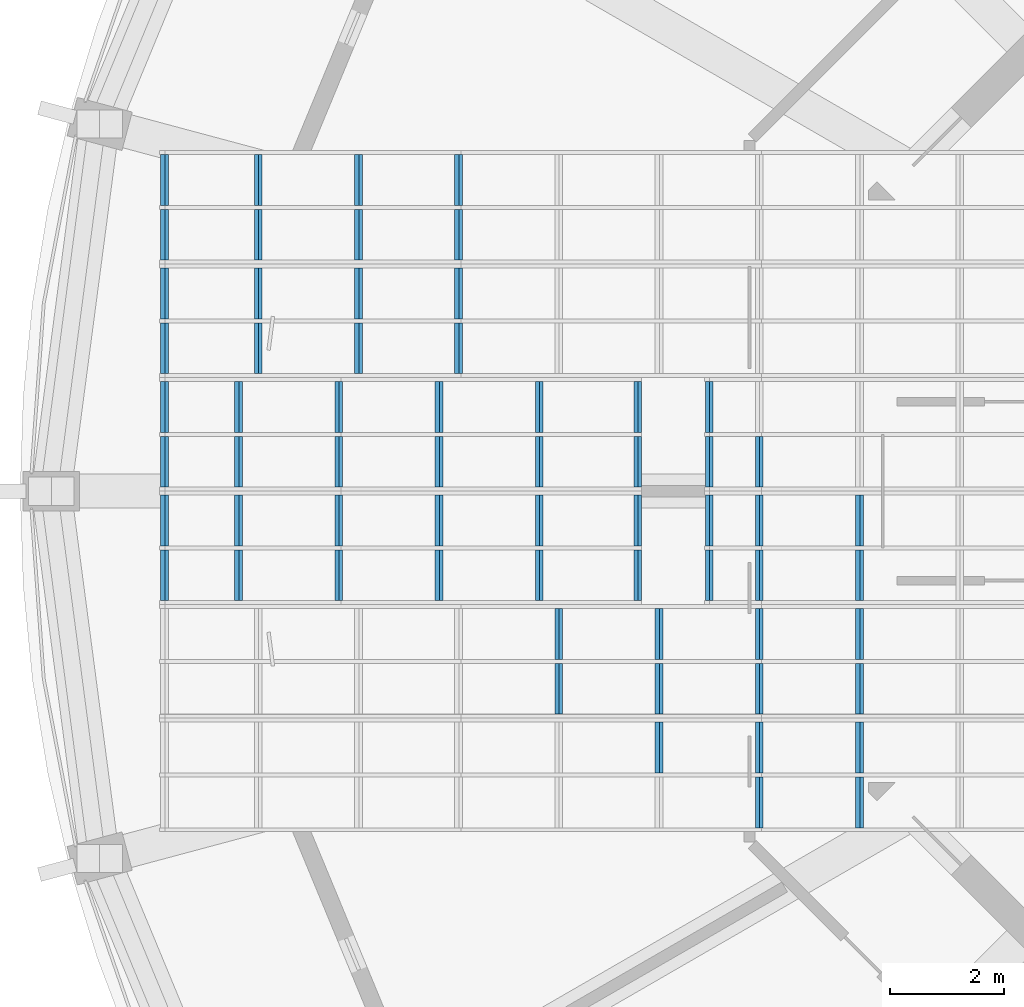
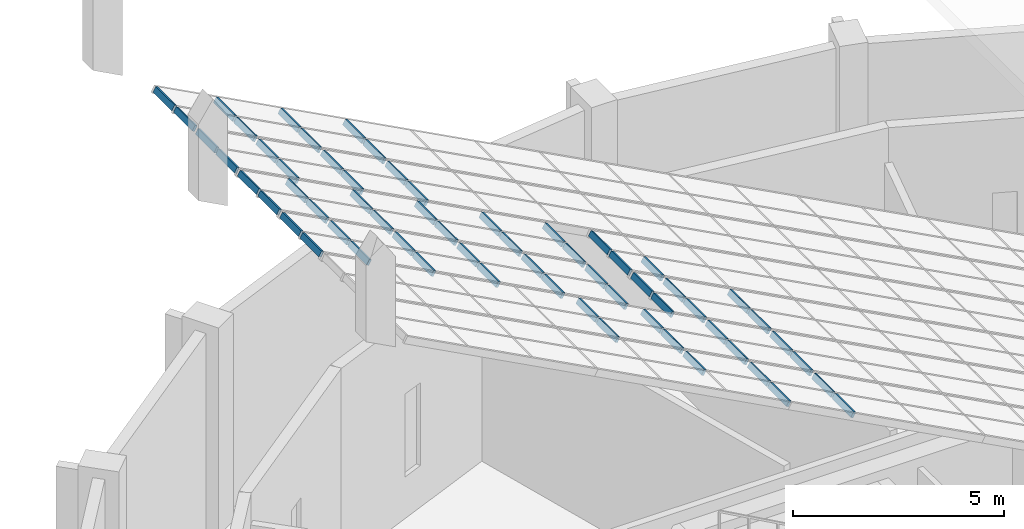
# One storey, part 4 of 19: 62 members, 8 elements without a shape of their own.
"""IFC4 building model written with IfcOpenShell, lengths in metres."""

from ifc_helpers import new_model, si_unit, direction, frame, origin, origin_2d, place, context, subcontext, project, spatial, rectangle, extrude, material, material_profile, profile_set, type_object, element, aggregate, save


model = new_model("IFC4")

# Units and contexts
model_context = context("Model", 3, precision=1e-05, world=origin(), true_north=direction((0.0, 1.0)))
body_context = subcontext(model_context, "Body", "Model", "MODEL_VIEW")
ifc_project = project(units=[si_unit("LENGTHUNIT", "METRE"), si_unit("AREAUNIT", "SQUARE_METRE"), si_unit("VOLUMEUNIT", "CUBIC_METRE"), si_unit("PLANEANGLEUNIT", "RADIAN"), si_unit("MASSUNIT", "GRAM", prefix="KILO")], contexts=[model_context])

# Site, building, storey
site_placement = place(None, origin())
site = spatial("IfcSite", under=ifc_project, at=site_placement, CompositionType="ELEMENT")
building_placement = place(site_placement, origin())
building = spatial("IfcBuilding", under=site, at=building_placement, Name="Torre Triforio", CompositionType="ELEMENT")
storey_placement = place(building_placement, frame((0.0, 0.0, 290.800048828125)))
storey = spatial("IfcBuildingStorey", under=building, at=storey_placement, Name="RF-1", CompositionType="ELEMENT", Elevation=290.800048828125)

# Curtain wall, members
ifc_material_1 = material(Name="Aluminium glazing bars with clear laminated glass", Category="aluminium")
curtain_wall_type = type_object("IfcCurtainWallType", Name="Crown lantern glazing CW4", PredefinedType="NOTDEFINED", material=ifc_material_1)
curtain_wall_1_placement = place(storey_placement, origin())
curtain_wall_1 = element("IfcCurtainWall", 1, at=curtain_wall_1_placement, inside=storey, type_object=curtain_wall_type, Name="Crown lantern run 1", PredefinedType="NOTDEFINED")
ifc_material_2 = material(Name="Anodised aluminium extrusion", Category="aluminium")
ifc_material_profile = material_profile(ifc_material_2, rectangle(XDim=0.070068359375, YDim=0.159912109375, at=origin_2d()), Name="CW4 TRANSOM 70x160")
ifc_profile_set = profile_set([ifc_material_profile], Name="Anodised aluminium extrusion")
member_type = type_object("IfcMemberType", Name="CW4 transom 70 x 160", PredefinedType="USERDEFINED", material=ifc_profile_set)
member_1_placement = place(storey_placement, frame((-10.760009765625, -5.929931640625, 19.2158203125), z_axis=(0.0, 1.0, 0.0), x_axis=(-0.882947592859, 0.0, 0.469471562786)))
member_1 = element("IfcMember", 2, at=member_1_placement, type_object=member_type, Name="CW4 transom 1.15.1", ObjectType="TRANSOM", PredefinedType="USERDEFINED", context=body_context, shape_type="SweptSolid", body=[
    extrude(rectangle(XDim=0.070068359375, YDim=0.159912109375, at=origin_2d()), origin(), (0.0, 0.0, 1.0), 0.89501953125),
])
member_2_placement = place(storey_placement, frame((-10.760009765625, -4.965087890625, 19.2158203125), z_axis=(0.0, 1.0, 0.0), x_axis=(-0.882947592859, 0.0, 0.469471562786)))
member_2 = element("IfcMember", 3, at=member_2_placement, type_object=member_type, Name="CW4 transom 1.15.2", ObjectType="TRANSOM", PredefinedType="USERDEFINED", context=body_context, shape_type="SweptSolid", body=[
    extrude(rectangle(XDim=0.070068359375, YDim=0.159912109375, at=origin_2d()), origin(), (0.0, 0.0, 1.0), 0.89501953125),
])
member_3_placement = place(storey_placement, frame((-12.52587890625, -5.929931640625, 20.15478515625), z_axis=(0.0, 1.0, 0.0), x_axis=(-0.882947592859, 0.0, 0.469471562786)))
member_3 = element("IfcMember", 4, at=member_3_placement, type_object=member_type, Name="CW4 transom 1.16.1", ObjectType="TRANSOM", PredefinedType="USERDEFINED", context=body_context, shape_type="SweptSolid", body=[
    extrude(rectangle(XDim=0.070068359375, YDim=0.159912109375, at=origin_2d()), origin(), (0.0, 0.0, 1.0), 0.89501953125),
])
member_4_placement = place(storey_placement, frame((-12.52587890625, -4.965087890625, 20.15478515625), z_axis=(0.0, 1.0, 0.0), x_axis=(-0.882947592859, 0.0, 0.469471562786)))
member_4 = element("IfcMember", 5, at=member_4_placement, type_object=member_type, Name="CW4 transom 1.16.2", ObjectType="TRANSOM", PredefinedType="USERDEFINED", context=body_context, shape_type="SweptSolid", body=[
    extrude(rectangle(XDim=0.070068359375, YDim=0.159912109375, at=origin_2d()), origin(), (0.0, 0.0, 1.0), 0.89501953125),
])
member_5_placement = place(storey_placement, frame((-14.2919921875, -4.965087890625, 21.09375), z_axis=(0.0, 1.0, 0.0), x_axis=(-0.882947592859, 0.0, 0.469471562786)))
member_5 = element("IfcMember", 6, at=member_5_placement, type_object=member_type, Name="CW4 transom 1.17.2", ObjectType="TRANSOM", PredefinedType="USERDEFINED", context=body_context, shape_type="SweptSolid", body=[
    extrude(rectangle(XDim=0.070068359375, YDim=0.159912109375, at=origin_2d()), origin(), (0.0, 0.0, 1.0), 0.89501953125),
])
aggregate(curtain_wall_1, [member_1, member_2, member_3, member_4, member_5])

curtain_wall_2_placement = place(storey_placement, origin())
curtain_wall_2 = element("IfcCurtainWall", 7, at=curtain_wall_2_placement, inside=storey, type_object=curtain_wall_type, Name="Crown lantern run 2", PredefinedType="NOTDEFINED")
member_6_placement = place(storey_placement, frame((-10.760009765625, -3.929931640625, 19.2158203125), z_axis=(0.0, 1.0, 0.0), x_axis=(-0.882947592859, 0.0, 0.469471562786)))
member_6 = element("IfcMember", 8, at=member_6_placement, type_object=member_type, Name="CW4 transom 2.15.1", ObjectType="TRANSOM", PredefinedType="USERDEFINED", context=body_context, shape_type="SweptSolid", body=[
    extrude(rectangle(XDim=0.070068359375, YDim=0.159912109375, at=origin_2d()), origin(), (0.0, 0.0, 1.0), 0.89501953125),
])
member_7_placement = place(storey_placement, frame((-10.760009765625, -2.965087890625, 19.2158203125), z_axis=(0.0, 1.0, 0.0), x_axis=(-0.882947592859, 0.0, 0.469471562786)))
member_7 = element("IfcMember", 9, at=member_7_placement, type_object=member_type, Name="CW4 transom 2.15.2", ObjectType="TRANSOM", PredefinedType="USERDEFINED", context=body_context, shape_type="SweptSolid", body=[
    extrude(rectangle(XDim=0.070068359375, YDim=0.159912109375, at=origin_2d()), origin(), (0.0, 0.0, 1.0), 0.89501953125),
])
member_8_placement = place(storey_placement, frame((-12.52587890625, -3.929931640625, 20.15478515625), z_axis=(0.0, 1.0, 0.0), x_axis=(-0.882947592859, 0.0, 0.469471562786)))
member_8 = element("IfcMember", 10, at=member_8_placement, type_object=member_type, Name="CW4 transom 2.16.1", ObjectType="TRANSOM", PredefinedType="USERDEFINED", context=body_context, shape_type="SweptSolid", body=[
    extrude(rectangle(XDim=0.070068359375, YDim=0.159912109375, at=origin_2d()), origin(), (0.0, 0.0, 1.0), 0.89501953125),
])
member_9_placement = place(storey_placement, frame((-12.52587890625, -2.965087890625, 20.15478515625), z_axis=(0.0, 1.0, 0.0), x_axis=(-0.882947592859, 0.0, 0.469471562786)))
member_9 = element("IfcMember", 11, at=member_9_placement, type_object=member_type, Name="CW4 transom 2.16.2", ObjectType="TRANSOM", PredefinedType="USERDEFINED", context=body_context, shape_type="SweptSolid", body=[
    extrude(rectangle(XDim=0.070068359375, YDim=0.159912109375, at=origin_2d()), origin(), (0.0, 0.0, 1.0), 0.89501953125),
])
member_10_placement = place(storey_placement, frame((-14.2919921875, -3.929931640625, 21.09375), z_axis=(0.0, 1.0, 0.0), x_axis=(-0.882947592859, 0.0, 0.469471562786)))
member_10 = element("IfcMember", 12, at=member_10_placement, type_object=member_type, Name="CW4 transom 2.17.1", ObjectType="TRANSOM", PredefinedType="USERDEFINED", context=body_context, shape_type="SweptSolid", body=[
    extrude(rectangle(XDim=0.070068359375, YDim=0.159912109375, at=origin_2d()), origin(), (0.0, 0.0, 1.0), 0.89501953125),
])
member_11_placement = place(storey_placement, frame((-14.2919921875, -2.965087890625, 21.09375), z_axis=(0.0, 1.0, 0.0), x_axis=(-0.882947592859, 0.0, 0.469471562786)))
member_11 = element("IfcMember", 13, at=member_11_placement, type_object=member_type, Name="CW4 transom 2.17.2", ObjectType="TRANSOM", PredefinedType="USERDEFINED", context=body_context, shape_type="SweptSolid", body=[
    extrude(rectangle(XDim=0.070068359375, YDim=0.159912109375, at=origin_2d()), origin(), (0.0, 0.0, 1.0), 0.89501953125),
])
member_12_placement = place(storey_placement, frame((-16.057861328125, -3.929931640625, 22.032470703125), z_axis=(0.0, 1.0, 0.0), x_axis=(-0.882947592859, 0.0, 0.469471562786)))
member_12 = element("IfcMember", 14, at=member_12_placement, type_object=member_type, Name="CW4 transom 2.18.1", ObjectType="TRANSOM", PredefinedType="USERDEFINED", context=body_context, shape_type="SweptSolid", body=[
    extrude(rectangle(XDim=0.070068359375, YDim=0.159912109375, at=origin_2d()), origin(), (0.0, 0.0, 1.0), 0.89501953125),
])
member_13_placement = place(storey_placement, frame((-16.057861328125, -2.965087890625, 22.032470703125), z_axis=(0.0, 1.0, 0.0), x_axis=(-0.882947592859, 0.0, 0.469471562786)))
member_13 = element("IfcMember", 15, at=member_13_placement, type_object=member_type, Name="CW4 transom 2.18.2", ObjectType="TRANSOM", PredefinedType="USERDEFINED", context=body_context, shape_type="SweptSolid", body=[
    extrude(rectangle(XDim=0.070068359375, YDim=0.159912109375, at=origin_2d()), origin(), (0.0, 0.0, 1.0), 0.89501953125),
])
aggregate(curtain_wall_2, [member_6, member_7, member_8, member_9, member_10, member_11, member_12, member_13])

curtain_wall_3_placement = place(storey_placement, origin())
curtain_wall_3 = element("IfcCurtainWall", 16, at=curtain_wall_3_placement, inside=storey, type_object=curtain_wall_type, Name="Crown lantern run 3", PredefinedType="NOTDEFINED")
member_14_placement = place(storey_placement, frame((-10.760009765625, -1.929931640625, 19.2158203125), z_axis=(0.0, 1.0, 0.0), x_axis=(-0.882947592859, 0.0, 0.469471562786)))
member_14 = element("IfcMember", 17, at=member_14_placement, type_object=member_type, Name="CW4 transom 3.15.1", ObjectType="TRANSOM", PredefinedType="USERDEFINED", context=body_context, shape_type="SweptSolid", body=[
    extrude(rectangle(XDim=0.070068359375, YDim=0.159912109375, at=origin_2d()), origin(), (0.0, 0.0, 1.0), 0.89501953125),
])
member_15_placement = place(storey_placement, frame((-10.760009765625, -0.965087890625, 19.2158203125), z_axis=(0.0, 1.0, 0.0), x_axis=(-0.882947592859, 0.0, 0.469471562786)))
member_15 = element("IfcMember", 18, at=member_15_placement, type_object=member_type, Name="CW4 transom 3.15.2", ObjectType="TRANSOM", PredefinedType="USERDEFINED", context=body_context, shape_type="SweptSolid", body=[
    extrude(rectangle(XDim=0.070068359375, YDim=0.159912109375, at=origin_2d()), origin(), (0.0, 0.0, 1.0), 0.89501953125),
])
member_16_placement = place(storey_placement, frame((-12.52587890625, -1.929931640625, 20.15478515625), z_axis=(0.0, 1.0, 0.0), x_axis=(-0.882947592859, 0.0, 0.469471562786)))
member_16 = element("IfcMember", 19, at=member_16_placement, type_object=member_type, Name="CW4 transom 3.16.1", ObjectType="TRANSOM", PredefinedType="USERDEFINED", context=body_context, shape_type="SweptSolid", body=[
    extrude(rectangle(XDim=0.070068359375, YDim=0.159912109375, at=origin_2d()), origin(), (0.0, 0.0, 1.0), 0.89501953125),
])
member_17_placement = place(storey_placement, frame((-12.52587890625, -0.965087890625, 20.15478515625), z_axis=(0.0, 1.0, 0.0), x_axis=(-0.882947592859, 0.0, 0.469471562786)))
member_17 = element("IfcMember", 20, at=member_17_placement, type_object=member_type, Name="CW4 transom 3.16.2", ObjectType="TRANSOM", PredefinedType="USERDEFINED", context=body_context, shape_type="SweptSolid", body=[
    extrude(rectangle(XDim=0.070068359375, YDim=0.159912109375, at=origin_2d()), origin(), (0.0, 0.0, 1.0), 0.89501953125),
])
member_18_placement = place(storey_placement, frame((-13.40673828125, -1.929931640625, 20.623046875), z_axis=(0.0, 1.0, 0.0), x_axis=(-0.882947592859, 0.0, 0.469471562786)))
member_18 = element("IfcMember", 21, at=member_18_placement, type_object=member_type, Name="CW4 transom 3.17.1", ObjectType="TRANSOM", PredefinedType="USERDEFINED", context=body_context, shape_type="SweptSolid", body=[
    extrude(rectangle(XDim=0.070068359375, YDim=0.159912109375, at=origin_2d()), origin(), (0.0, 0.0, 1.0), 0.89501953125),
])
member_19_placement = place(storey_placement, frame((-13.40673828125, -0.965087890625, 20.623046875), z_axis=(0.0, 1.0, 0.0), x_axis=(-0.882947592859, 0.0, 0.469471562786)))
member_19 = element("IfcMember", 22, at=member_19_placement, type_object=member_type, Name="CW4 transom 3.17.2", ObjectType="TRANSOM", PredefinedType="USERDEFINED", context=body_context, shape_type="SweptSolid", body=[
    extrude(rectangle(XDim=0.070068359375, YDim=0.159912109375, at=origin_2d()), origin(), (0.0, 0.0, 1.0), 0.89501953125),
])
aggregate(curtain_wall_3, [member_14, member_15, member_16, member_17, member_18, member_19])

curtain_wall_4_placement = place(storey_placement, origin())
curtain_wall_4 = element("IfcCurtainWall", 23, at=curtain_wall_4_placement, inside=storey, type_object=curtain_wall_type, Name="Crown lantern run 4", PredefinedType="NOTDEFINED")
member_20_placement = place(storey_placement, frame((-14.66845703125, -1.929931640625, 21.2939453125), z_axis=(0.0, 1.0, 0.0), x_axis=(-0.882947592859, 0.0, 0.469471562786)))
member_20 = element("IfcMember", 24, at=member_20_placement, type_object=member_type, Name="CW4 transom 4.1.1", ObjectType="TRANSOM", PredefinedType="USERDEFINED", context=body_context, shape_type="SweptSolid", body=[
    extrude(rectangle(XDim=0.070068359375, YDim=0.159912109375, at=origin_2d()), origin(), (0.0, 0.0, 1.0), 0.89501953125),
])
member_21_placement = place(storey_placement, frame((-14.66845703125, -0.965087890625, 21.2939453125), z_axis=(0.0, 1.0, 0.0), x_axis=(-0.882947592859, 0.0, 0.469471562786)))
member_21 = element("IfcMember", 25, at=member_21_placement, type_object=member_type, Name="CW4 transom 4.1.2", ObjectType="TRANSOM", PredefinedType="USERDEFINED", context=body_context, shape_type="SweptSolid", body=[
    extrude(rectangle(XDim=0.070068359375, YDim=0.159912109375, at=origin_2d()), origin(), (0.0, 0.0, 1.0), 0.89501953125),
])
member_22_placement = place(storey_placement, frame((-16.403564453125, -1.929931640625, 22.21630859375), z_axis=(0.0, 1.0, 0.0), x_axis=(-0.882947592859, 0.0, 0.469471562786)))
member_22 = element("IfcMember", 26, at=member_22_placement, type_object=member_type, Name="CW4 transom 4.2.1", ObjectType="TRANSOM", PredefinedType="USERDEFINED", context=body_context, shape_type="SweptSolid", body=[
    extrude(rectangle(XDim=0.070068359375, YDim=0.159912109375, at=origin_2d()), origin(), (0.0, 0.0, 1.0), 0.89501953125),
])
member_23_placement = place(storey_placement, frame((-16.403564453125, -0.965087890625, 22.21630859375), z_axis=(0.0, 1.0, 0.0), x_axis=(-0.882947592859, 0.0, 0.469471562786)))
member_23 = element("IfcMember", 27, at=member_23_placement, type_object=member_type, Name="CW4 transom 4.2.2", ObjectType="TRANSOM", PredefinedType="USERDEFINED", context=body_context, shape_type="SweptSolid", body=[
    extrude(rectangle(XDim=0.070068359375, YDim=0.159912109375, at=origin_2d()), origin(), (0.0, 0.0, 1.0), 0.89501953125),
])
member_24_placement = place(storey_placement, frame((-18.169189453125, -1.929931640625, 23.1552734375), z_axis=(0.0, 1.0, 0.0), x_axis=(-0.882947592859, 0.0, 0.469471562786)))
member_24 = element("IfcMember", 28, at=member_24_placement, type_object=member_type, Name="CW4 transom 4.3.1", ObjectType="TRANSOM", PredefinedType="USERDEFINED", context=body_context, shape_type="SweptSolid", body=[
    extrude(rectangle(XDim=0.070068359375, YDim=0.159912109375, at=origin_2d()), origin(), (0.0, 0.0, 1.0), 0.89501953125),
])
member_25_placement = place(storey_placement, frame((-18.169189453125, -0.965087890625, 23.1552734375), z_axis=(0.0, 1.0, 0.0), x_axis=(-0.882947592859, 0.0, 0.469471562786)))
member_25 = element("IfcMember", 29, at=member_25_placement, type_object=member_type, Name="CW4 transom 4.3.2", ObjectType="TRANSOM", PredefinedType="USERDEFINED", context=body_context, shape_type="SweptSolid", body=[
    extrude(rectangle(XDim=0.070068359375, YDim=0.159912109375, at=origin_2d()), origin(), (0.0, 0.0, 1.0), 0.89501953125),
])
member_26_placement = place(storey_placement, frame((-19.935302734375, -1.929931640625, 24.09423828125), z_axis=(0.0, 1.0, 0.0), x_axis=(-0.882947592859, 0.0, 0.469471562786)))
member_26 = element("IfcMember", 30, at=member_26_placement, type_object=member_type, Name="CW4 transom 4.4.1", ObjectType="TRANSOM", PredefinedType="USERDEFINED", context=body_context, shape_type="SweptSolid", body=[
    extrude(rectangle(XDim=0.070068359375, YDim=0.159912109375, at=origin_2d()), origin(), (0.0, 0.0, 1.0), 0.89501953125),
])
member_27_placement = place(storey_placement, frame((-19.935302734375, -0.965087890625, 24.09423828125), z_axis=(0.0, 1.0, 0.0), x_axis=(-0.882947592859, 0.0, 0.469471562786)))
member_27 = element("IfcMember", 31, at=member_27_placement, type_object=member_type, Name="CW4 transom 4.4.2", ObjectType="TRANSOM", PredefinedType="USERDEFINED", context=body_context, shape_type="SweptSolid", body=[
    extrude(rectangle(XDim=0.070068359375, YDim=0.159912109375, at=origin_2d()), origin(), (0.0, 0.0, 1.0), 0.89501953125),
])
member_28_placement = place(storey_placement, frame((-21.701171875, -1.929931640625, 25.033203125), z_axis=(0.0, 1.0, 0.0), x_axis=(-0.882947592859, 0.0, 0.469471562786)))
member_28 = element("IfcMember", 32, at=member_28_placement, type_object=member_type, Name="CW4 transom 4.5.1", ObjectType="TRANSOM", PredefinedType="USERDEFINED", context=body_context, shape_type="SweptSolid", body=[
    extrude(rectangle(XDim=0.070068359375, YDim=0.159912109375, at=origin_2d()), origin(), (0.0, 0.0, 1.0), 0.89501953125),
])
member_29_placement = place(storey_placement, frame((-21.701171875, -0.965087890625, 25.033203125), z_axis=(0.0, 1.0, 0.0), x_axis=(-0.882947592859, 0.0, 0.469471562786)))
member_29 = element("IfcMember", 33, at=member_29_placement, type_object=member_type, Name="CW4 transom 4.5.2", ObjectType="TRANSOM", PredefinedType="USERDEFINED", context=body_context, shape_type="SweptSolid", body=[
    extrude(rectangle(XDim=0.070068359375, YDim=0.159912109375, at=origin_2d()), origin(), (0.0, 0.0, 1.0), 0.89501953125),
])
member_30_placement = place(storey_placement, frame((-23.006591796875, -1.929931640625, 25.727294921875), z_axis=(0.0, 1.0, 0.0), x_axis=(-0.882947592859, 0.0, 0.469471562786)))
member_30 = element("IfcMember", 34, at=member_30_placement, type_object=member_type, Name="CW4 transom 4.6.1", ObjectType="TRANSOM", PredefinedType="USERDEFINED", context=body_context, shape_type="SweptSolid", body=[
    extrude(rectangle(XDim=0.070068359375, YDim=0.159912109375, at=origin_2d()), origin(), (0.0, 0.0, 1.0), 0.89501953125),
])
member_31_placement = place(storey_placement, frame((-23.006591796875, -0.965087890625, 25.727294921875), z_axis=(0.0, 1.0, 0.0), x_axis=(-0.882947592859, 0.0, 0.469471562786)))
member_31 = element("IfcMember", 35, at=member_31_placement, type_object=member_type, Name="CW4 transom 4.6.2", ObjectType="TRANSOM", PredefinedType="USERDEFINED", context=body_context, shape_type="SweptSolid", body=[
    extrude(rectangle(XDim=0.070068359375, YDim=0.159912109375, at=origin_2d()), origin(), (0.0, 0.0, 1.0), 0.89501953125),
])
aggregate(curtain_wall_4, [member_20, member_21, member_22, member_23, member_24, member_25, member_26, member_27, member_28, member_29, member_30, member_31])

curtain_wall_5_placement = place(storey_placement, origin())
curtain_wall_5 = element("IfcCurtainWall", 36, at=curtain_wall_5_placement, inside=storey, type_object=curtain_wall_type, Name="Crown lantern run 5", PredefinedType="NOTDEFINED")
member_32_placement = place(storey_placement, frame((-12.52587890625, 0.070068359375, 20.15478515625), z_axis=(0.0, 1.0, 0.0), x_axis=(-0.882947592859, 0.0, 0.469471562786)))
member_32 = element("IfcMember", 37, at=member_32_placement, type_object=member_type, Name="CW4 transom 5.16.1", ObjectType="TRANSOM", PredefinedType="USERDEFINED", context=body_context, shape_type="SweptSolid", body=[
    extrude(rectangle(XDim=0.070068359375, YDim=0.159912109375, at=origin_2d()), origin(), (0.0, 0.0, 1.0), 0.89501953125),
])
member_33_placement = place(storey_placement, frame((-13.40673828125, 0.070068359375, 20.623046875), z_axis=(0.0, 1.0, 0.0), x_axis=(-0.882947592859, 0.0, 0.469471562786)))
member_33 = element("IfcMember", 38, at=member_33_placement, type_object=member_type, Name="CW4 transom 5.17.1", ObjectType="TRANSOM", PredefinedType="USERDEFINED", context=body_context, shape_type="SweptSolid", body=[
    extrude(rectangle(XDim=0.070068359375, YDim=0.159912109375, at=origin_2d()), origin(), (0.0, 0.0, 1.0), 0.89501953125),
])
member_34_placement = place(storey_placement, frame((-13.40673828125, 1.034912109375, 20.623046875), z_axis=(0.0, 1.0, 0.0), x_axis=(-0.882947592859, 0.0, 0.469471562786)))
member_34 = element("IfcMember", 39, at=member_34_placement, type_object=member_type, Name="CW4 transom 5.17.2", ObjectType="TRANSOM", PredefinedType="USERDEFINED", context=body_context, shape_type="SweptSolid", body=[
    extrude(rectangle(XDim=0.070068359375, YDim=0.159912109375, at=origin_2d()), origin(), (0.0, 0.0, 1.0), 0.89501953125),
])
aggregate(curtain_wall_5, [member_32, member_33, member_34])

curtain_wall_6_placement = place(storey_placement, origin())
curtain_wall_6 = element("IfcCurtainWall", 40, at=curtain_wall_6_placement, inside=storey, type_object=curtain_wall_type, Name="Crown lantern run 6", PredefinedType="NOTDEFINED")
member_35_placement = place(storey_placement, frame((-14.66845703125, 0.070068359375, 21.2939453125), z_axis=(0.0, 1.0, 0.0), x_axis=(-0.882947592859, 0.0, 0.469471562786)))
member_35 = element("IfcMember", 41, at=member_35_placement, type_object=member_type, Name="CW4 transom 6.1.1", ObjectType="TRANSOM", PredefinedType="USERDEFINED", context=body_context, shape_type="SweptSolid", body=[
    extrude(rectangle(XDim=0.070068359375, YDim=0.159912109375, at=origin_2d()), origin(), (0.0, 0.0, 1.0), 0.89501953125),
])
member_36_placement = place(storey_placement, frame((-14.66845703125, 1.034912109375, 21.2939453125), z_axis=(0.0, 1.0, 0.0), x_axis=(-0.882947592859, 0.0, 0.469471562786)))
member_36 = element("IfcMember", 42, at=member_36_placement, type_object=member_type, Name="CW4 transom 6.1.2", ObjectType="TRANSOM", PredefinedType="USERDEFINED", context=body_context, shape_type="SweptSolid", body=[
    extrude(rectangle(XDim=0.070068359375, YDim=0.159912109375, at=origin_2d()), origin(), (0.0, 0.0, 1.0), 0.89501953125),
])
member_37_placement = place(storey_placement, frame((-16.403564453125, 0.070068359375, 22.21630859375), z_axis=(0.0, 1.0, 0.0), x_axis=(-0.882947592859, 0.0, 0.469471562786)))
member_37 = element("IfcMember", 43, at=member_37_placement, type_object=member_type, Name="CW4 transom 6.2.1", ObjectType="TRANSOM", PredefinedType="USERDEFINED", context=body_context, shape_type="SweptSolid", body=[
    extrude(rectangle(XDim=0.070068359375, YDim=0.159912109375, at=origin_2d()), origin(), (0.0, 0.0, 1.0), 0.89501953125),
])
member_38_placement = place(storey_placement, frame((-16.403564453125, 1.034912109375, 22.21630859375), z_axis=(0.0, 1.0, 0.0), x_axis=(-0.882947592859, 0.0, 0.469471562786)))
member_38 = element("IfcMember", 44, at=member_38_placement, type_object=member_type, Name="CW4 transom 6.2.2", ObjectType="TRANSOM", PredefinedType="USERDEFINED", context=body_context, shape_type="SweptSolid", body=[
    extrude(rectangle(XDim=0.070068359375, YDim=0.159912109375, at=origin_2d()), origin(), (0.0, 0.0, 1.0), 0.89501953125),
])
member_39_placement = place(storey_placement, frame((-18.169189453125, 0.070068359375, 23.1552734375), z_axis=(0.0, 1.0, 0.0), x_axis=(-0.882947592859, 0.0, 0.469471562786)))
member_39 = element("IfcMember", 45, at=member_39_placement, type_object=member_type, Name="CW4 transom 6.3.1", ObjectType="TRANSOM", PredefinedType="USERDEFINED", context=body_context, shape_type="SweptSolid", body=[
    extrude(rectangle(XDim=0.070068359375, YDim=0.159912109375, at=origin_2d()), origin(), (0.0, 0.0, 1.0), 0.89501953125),
])
member_40_placement = place(storey_placement, frame((-18.169189453125, 1.034912109375, 23.1552734375), z_axis=(0.0, 1.0, 0.0), x_axis=(-0.882947592859, 0.0, 0.469471562786)))
member_40 = element("IfcMember", 46, at=member_40_placement, type_object=member_type, Name="CW4 transom 6.3.2", ObjectType="TRANSOM", PredefinedType="USERDEFINED", context=body_context, shape_type="SweptSolid", body=[
    extrude(rectangle(XDim=0.070068359375, YDim=0.159912109375, at=origin_2d()), origin(), (0.0, 0.0, 1.0), 0.89501953125),
])
member_41_placement = place(storey_placement, frame((-19.935302734375, 0.070068359375, 24.09423828125), z_axis=(0.0, 1.0, 0.0), x_axis=(-0.882947592859, 0.0, 0.469471562786)))
member_41 = element("IfcMember", 47, at=member_41_placement, type_object=member_type, Name="CW4 transom 6.4.1", ObjectType="TRANSOM", PredefinedType="USERDEFINED", context=body_context, shape_type="SweptSolid", body=[
    extrude(rectangle(XDim=0.070068359375, YDim=0.159912109375, at=origin_2d()), origin(), (0.0, 0.0, 1.0), 0.89501953125),
])
member_42_placement = place(storey_placement, frame((-19.935302734375, 1.034912109375, 24.09423828125), z_axis=(0.0, 1.0, 0.0), x_axis=(-0.882947592859, 0.0, 0.469471562786)))
member_42 = element("IfcMember", 48, at=member_42_placement, type_object=member_type, Name="CW4 transom 6.4.2", ObjectType="TRANSOM", PredefinedType="USERDEFINED", context=body_context, shape_type="SweptSolid", body=[
    extrude(rectangle(XDim=0.070068359375, YDim=0.159912109375, at=origin_2d()), origin(), (0.0, 0.0, 1.0), 0.89501953125),
])
member_43_placement = place(storey_placement, frame((-21.701171875, 0.070068359375, 25.033203125), z_axis=(0.0, 1.0, 0.0), x_axis=(-0.882947592859, 0.0, 0.469471562786)))
member_43 = element("IfcMember", 49, at=member_43_placement, type_object=member_type, Name="CW4 transom 6.5.1", ObjectType="TRANSOM", PredefinedType="USERDEFINED", context=body_context, shape_type="SweptSolid", body=[
    extrude(rectangle(XDim=0.070068359375, YDim=0.159912109375, at=origin_2d()), origin(), (0.0, 0.0, 1.0), 0.89501953125),
])
member_44_placement = place(storey_placement, frame((-21.701171875, 1.034912109375, 25.033203125), z_axis=(0.0, 1.0, 0.0), x_axis=(-0.882947592859, 0.0, 0.469471562786)))
member_44 = element("IfcMember", 50, at=member_44_placement, type_object=member_type, Name="CW4 transom 6.5.2", ObjectType="TRANSOM", PredefinedType="USERDEFINED", context=body_context, shape_type="SweptSolid", body=[
    extrude(rectangle(XDim=0.070068359375, YDim=0.159912109375, at=origin_2d()), origin(), (0.0, 0.0, 1.0), 0.89501953125),
])
member_45_placement = place(storey_placement, frame((-23.006591796875, 0.070068359375, 25.727294921875), z_axis=(0.0, 1.0, 0.0), x_axis=(-0.882947592859, 0.0, 0.469471562786)))
member_45 = element("IfcMember", 51, at=member_45_placement, type_object=member_type, Name="CW4 transom 6.6.1", ObjectType="TRANSOM", PredefinedType="USERDEFINED", context=body_context, shape_type="SweptSolid", body=[
    extrude(rectangle(XDim=0.070068359375, YDim=0.159912109375, at=origin_2d()), origin(), (0.0, 0.0, 1.0), 0.89501953125),
])
member_46_placement = place(storey_placement, frame((-23.006591796875, 1.034912109375, 25.727294921875), z_axis=(0.0, 1.0, 0.0), x_axis=(-0.882947592859, 0.0, 0.469471562786)))
member_46 = element("IfcMember", 52, at=member_46_placement, type_object=member_type, Name="CW4 transom 6.6.2", ObjectType="TRANSOM", PredefinedType="USERDEFINED", context=body_context, shape_type="SweptSolid", body=[
    extrude(rectangle(XDim=0.070068359375, YDim=0.159912109375, at=origin_2d()), origin(), (0.0, 0.0, 1.0), 0.89501953125),
])
aggregate(curtain_wall_6, [member_35, member_36, member_37, member_38, member_39, member_40, member_41, member_42, member_43, member_44, member_45, member_46])

curtain_wall_7_placement = place(storey_placement, origin())
curtain_wall_7 = element("IfcCurtainWall", 53, at=curtain_wall_7_placement, inside=storey, type_object=curtain_wall_type, Name="Crown lantern run 7", PredefinedType="NOTDEFINED")
member_47_placement = place(storey_placement, frame((-17.82373046875, 2.070068359375, 22.971435546875), z_axis=(0.0, 1.0, 0.0), x_axis=(-0.882947592859, 0.0, 0.469471562786)))
member_47 = element("IfcMember", 54, at=member_47_placement, type_object=member_type, Name="CW4 transom 7.19.1", ObjectType="TRANSOM", PredefinedType="USERDEFINED", context=body_context, shape_type="SweptSolid", body=[
    extrude(rectangle(XDim=0.070068359375, YDim=0.159912109375, at=origin_2d()), origin(), (0.0, 0.0, 1.0), 0.89501953125),
])
member_48_placement = place(storey_placement, frame((-17.82373046875, 3.034912109375, 22.971435546875), z_axis=(0.0, 1.0, 0.0), x_axis=(-0.882947592859, 0.0, 0.469471562786)))
member_48 = element("IfcMember", 55, at=member_48_placement, type_object=member_type, Name="CW4 transom 7.19.2", ObjectType="TRANSOM", PredefinedType="USERDEFINED", context=body_context, shape_type="SweptSolid", body=[
    extrude(rectangle(XDim=0.070068359375, YDim=0.159912109375, at=origin_2d()), origin(), (0.0, 0.0, 1.0), 0.89501953125),
])
member_49_placement = place(storey_placement, frame((-19.589599609375, 2.070068359375, 23.910400390625), z_axis=(0.0, 1.0, 0.0), x_axis=(-0.882947592859, 0.0, 0.469471562786)))
member_49 = element("IfcMember", 56, at=member_49_placement, type_object=member_type, Name="CW4 transom 7.20.1", ObjectType="TRANSOM", PredefinedType="USERDEFINED", context=body_context, shape_type="SweptSolid", body=[
    extrude(rectangle(XDim=0.070068359375, YDim=0.159912109375, at=origin_2d()), origin(), (0.0, 0.0, 1.0), 0.89501953125),
])
member_50_placement = place(storey_placement, frame((-19.589599609375, 3.034912109375, 23.910400390625), z_axis=(0.0, 1.0, 0.0), x_axis=(-0.882947592859, 0.0, 0.469471562786)))
member_50 = element("IfcMember", 57, at=member_50_placement, type_object=member_type, Name="CW4 transom 7.20.2", ObjectType="TRANSOM", PredefinedType="USERDEFINED", context=body_context, shape_type="SweptSolid", body=[
    extrude(rectangle(XDim=0.070068359375, YDim=0.159912109375, at=origin_2d()), origin(), (0.0, 0.0, 1.0), 0.89501953125),
])
member_51_placement = place(storey_placement, frame((-21.35546875, 2.070068359375, 24.849365234375), z_axis=(0.0, 1.0, 0.0), x_axis=(-0.882947592859, 0.0, 0.469471562786)))
member_51 = element("IfcMember", 58, at=member_51_placement, type_object=member_type, Name="CW4 transom 7.21.1", ObjectType="TRANSOM", PredefinedType="USERDEFINED", context=body_context, shape_type="SweptSolid", body=[
    extrude(rectangle(XDim=0.070068359375, YDim=0.159912109375, at=origin_2d()), origin(), (0.0, 0.0, 1.0), 0.89501953125),
])
member_52_placement = place(storey_placement, frame((-21.35546875, 3.034912109375, 24.849365234375), z_axis=(0.0, 1.0, 0.0), x_axis=(-0.882947592859, 0.0, 0.469471562786)))
member_52 = element("IfcMember", 59, at=member_52_placement, type_object=member_type, Name="CW4 transom 7.21.2", ObjectType="TRANSOM", PredefinedType="USERDEFINED", context=body_context, shape_type="SweptSolid", body=[
    extrude(rectangle(XDim=0.070068359375, YDim=0.159912109375, at=origin_2d()), origin(), (0.0, 0.0, 1.0), 0.89501953125),
])
member_53_placement = place(storey_placement, frame((-23.006591796875, 2.070068359375, 25.727294921875), z_axis=(0.0, 1.0, 0.0), x_axis=(-0.882947592859, 0.0, 0.469471562786)))
member_53 = element("IfcMember", 60, at=member_53_placement, type_object=member_type, Name="CW4 transom 7.22.1", ObjectType="TRANSOM", PredefinedType="USERDEFINED", context=body_context, shape_type="SweptSolid", body=[
    extrude(rectangle(XDim=0.070068359375, YDim=0.159912109375, at=origin_2d()), origin(), (0.0, 0.0, 1.0), 0.89501953125),
])
member_54_placement = place(storey_placement, frame((-23.006591796875, 3.034912109375, 25.727294921875), z_axis=(0.0, 1.0, 0.0), x_axis=(-0.882947592859, 0.0, 0.469471562786)))
member_54 = element("IfcMember", 61, at=member_54_placement, type_object=member_type, Name="CW4 transom 7.22.2", ObjectType="TRANSOM", PredefinedType="USERDEFINED", context=body_context, shape_type="SweptSolid", body=[
    extrude(rectangle(XDim=0.070068359375, YDim=0.159912109375, at=origin_2d()), origin(), (0.0, 0.0, 1.0), 0.89501953125),
])
aggregate(curtain_wall_7, [member_47, member_48, member_49, member_50, member_51, member_52, member_53, member_54])

curtain_wall_8_placement = place(storey_placement, origin())
curtain_wall_8 = element("IfcCurtainWall", 62, at=curtain_wall_8_placement, inside=storey, type_object=curtain_wall_type, Name="Crown lantern run 8", PredefinedType="NOTDEFINED")
member_55_placement = place(storey_placement, frame((-17.82373046875, 4.070068359375, 22.971435546875), z_axis=(0.0, 1.0, 0.0), x_axis=(-0.882947592859, 0.0, 0.469471562786)))
member_55 = element("IfcMember", 63, at=member_55_placement, type_object=member_type, Name="CW4 transom 8.19.1", ObjectType="TRANSOM", PredefinedType="USERDEFINED", context=body_context, shape_type="SweptSolid", body=[
    extrude(rectangle(XDim=0.070068359375, YDim=0.159912109375, at=origin_2d()), origin(), (0.0, 0.0, 1.0), 0.89501953125),
])
member_56_placement = place(storey_placement, frame((-17.82373046875, 5.034912109375, 22.971435546875), z_axis=(0.0, 1.0, 0.0), x_axis=(-0.882947592859, 0.0, 0.469471562786)))
member_56 = element("IfcMember", 64, at=member_56_placement, type_object=member_type, Name="CW4 transom 8.19.2", ObjectType="TRANSOM", PredefinedType="USERDEFINED", context=body_context, shape_type="SweptSolid", body=[
    extrude(rectangle(XDim=0.070068359375, YDim=0.159912109375, at=origin_2d()), origin(), (0.0, 0.0, 1.0), 0.89501953125),
])
member_57_placement = place(storey_placement, frame((-19.589599609375, 4.070068359375, 23.910400390625), z_axis=(0.0, 1.0, 0.0), x_axis=(-0.882947592859, 0.0, 0.469471562786)))
member_57 = element("IfcMember", 65, at=member_57_placement, type_object=member_type, Name="CW4 transom 8.20.1", ObjectType="TRANSOM", PredefinedType="USERDEFINED", context=body_context, shape_type="SweptSolid", body=[
    extrude(rectangle(XDim=0.070068359375, YDim=0.159912109375, at=origin_2d()), origin(), (0.0, 0.0, 1.0), 0.89501953125),
])
member_58_placement = place(storey_placement, frame((-19.589599609375, 5.034912109375, 23.910400390625), z_axis=(0.0, 1.0, 0.0), x_axis=(-0.882947592859, 0.0, 0.469471562786)))
member_58 = element("IfcMember", 66, at=member_58_placement, type_object=member_type, Name="CW4 transom 8.20.2", ObjectType="TRANSOM", PredefinedType="USERDEFINED", context=body_context, shape_type="SweptSolid", body=[
    extrude(rectangle(XDim=0.070068359375, YDim=0.159912109375, at=origin_2d()), origin(), (0.0, 0.0, 1.0), 0.89501953125),
])
member_59_placement = place(storey_placement, frame((-21.35546875, 4.070068359375, 24.849365234375), z_axis=(0.0, 1.0, 0.0), x_axis=(-0.882947592859, 0.0, 0.469471562786)))
member_59 = element("IfcMember", 67, at=member_59_placement, type_object=member_type, Name="CW4 transom 8.21.1", ObjectType="TRANSOM", PredefinedType="USERDEFINED", context=body_context, shape_type="SweptSolid", body=[
    extrude(rectangle(XDim=0.070068359375, YDim=0.159912109375, at=origin_2d()), origin(), (0.0, 0.0, 1.0), 0.89501953125),
])
member_60_placement = place(storey_placement, frame((-21.35546875, 5.034912109375, 24.849365234375), z_axis=(0.0, 1.0, 0.0), x_axis=(-0.882947592859, 0.0, 0.469471562786)))
member_60 = element("IfcMember", 68, at=member_60_placement, type_object=member_type, Name="CW4 transom 8.21.2", ObjectType="TRANSOM", PredefinedType="USERDEFINED", context=body_context, shape_type="SweptSolid", body=[
    extrude(rectangle(XDim=0.070068359375, YDim=0.159912109375, at=origin_2d()), origin(), (0.0, 0.0, 1.0), 0.89501953125),
])
member_61_placement = place(storey_placement, frame((-23.006591796875, 4.070068359375, 25.727294921875), z_axis=(0.0, 1.0, 0.0), x_axis=(-0.882947592859, 0.0, 0.469471562786)))
member_61 = element("IfcMember", 69, at=member_61_placement, type_object=member_type, Name="CW4 transom 8.22.1", ObjectType="TRANSOM", PredefinedType="USERDEFINED", context=body_context, shape_type="SweptSolid", body=[
    extrude(rectangle(XDim=0.070068359375, YDim=0.159912109375, at=origin_2d()), origin(), (0.0, 0.0, 1.0), 0.89501953125),
])
member_62_placement = place(storey_placement, frame((-23.006591796875, 5.034912109375, 25.727294921875), z_axis=(0.0, 1.0, 0.0), x_axis=(-0.882947592859, 0.0, 0.469471562786)))
member_62 = element("IfcMember", 70, at=member_62_placement, type_object=member_type, Name="CW4 transom 8.22.2", ObjectType="TRANSOM", PredefinedType="USERDEFINED", context=body_context, shape_type="SweptSolid", body=[
    extrude(rectangle(XDim=0.070068359375, YDim=0.159912109375, at=origin_2d()), origin(), (0.0, 0.0, 1.0), 0.89501953125),
])
aggregate(curtain_wall_8, [member_55, member_56, member_57, member_58, member_59, member_60, member_61, member_62])

save(model, "model.ifc")
